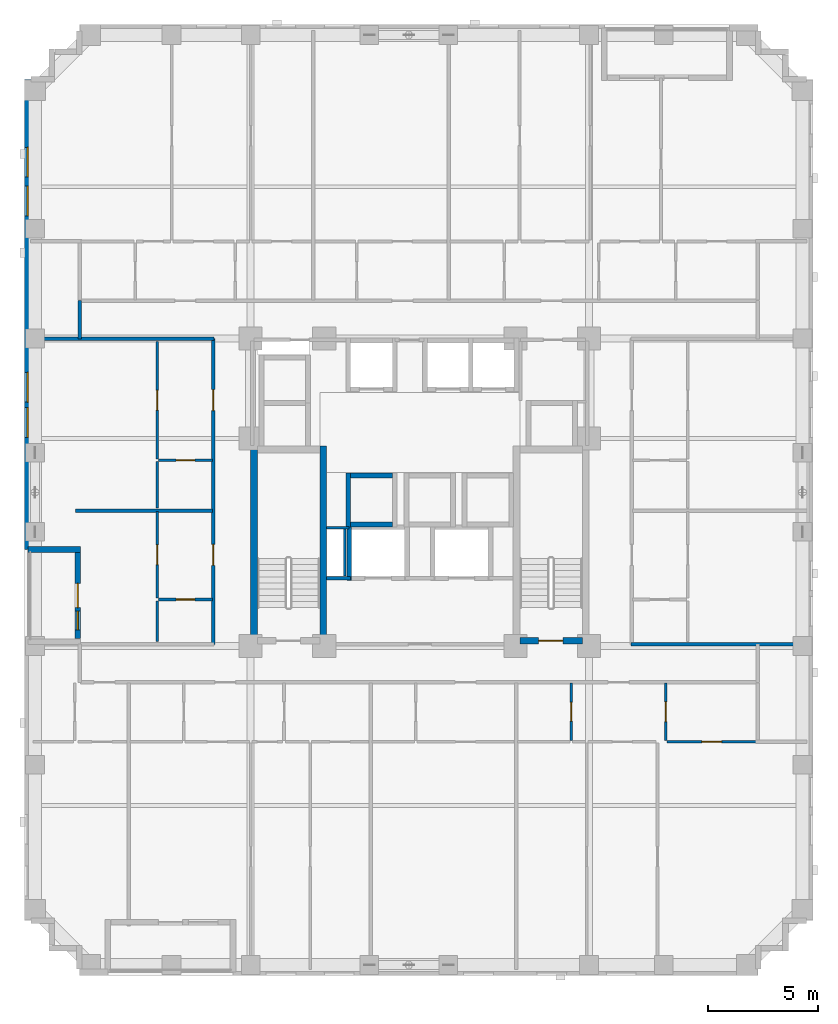
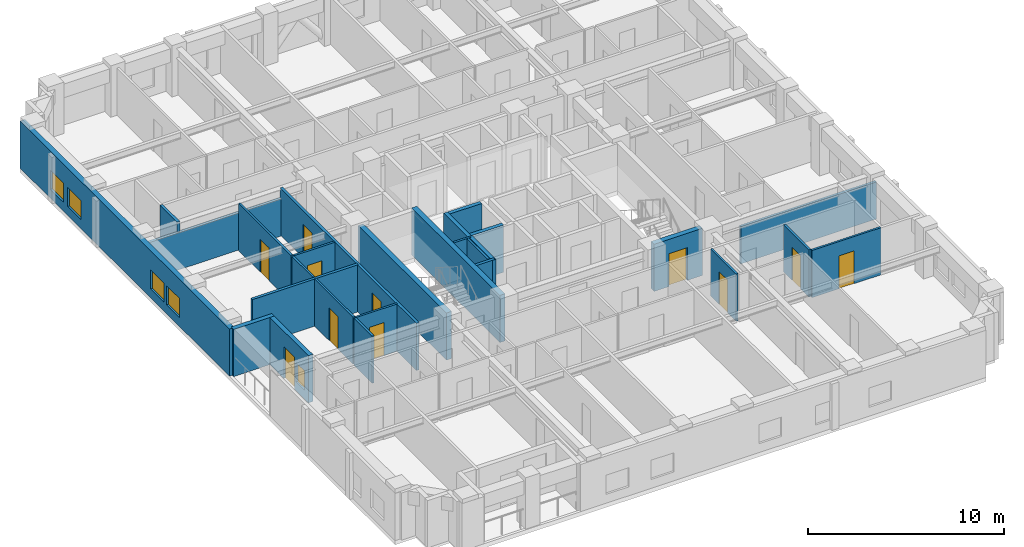
# One storey, part 4 of 12: 27 walls, 11 doors, 5 windows, 16 openings.
"""IFC4 building model written with IfcOpenShell, lengths in metres."""

import ifcopenshell
import ifcopenshell.guid

model = None  # the IFC model being written
_history = None  # IfcOwnerHistory: only IFC2X3 demands one
_inside = {}  # id of a spatial element -> (the spatial element, [elements in it])
_under = {}  # id of a project, library or spatial element -> (it, [spatial elements below it])
_declared = {}  # id of a project -> (the project, [libraries it declares])
_typed = {}  # id of a type object -> (the type object, [elements of that type])
_made_of = {}  # id of a material, layer set ... -> (it, [elements and type objects made of it])


def new_model(schema):
    """Start an empty IFC model of exactly this schema.

    Asked for "IFC4X3", IfcOpenShell would pick the latest addendum, in which some entities
    have other attributes; the version numbers below select the first issue.
    IFC2X3 requires an IfcOwnerHistory on every rooted entity: one is made here for all.
    """
    global model, _history
    if schema == "IFC4X3":
        model = ifcopenshell.file(schema_version=(4, 3, 0, 0))
    else:
        model = ifcopenshell.file(schema=schema)
    _inside.clear()
    _under.clear()
    _declared.clear()
    _typed.clear()
    _made_of.clear()
    _history = None
    if model.schema == "IFC2X3":
        org = make("IfcOrganization", Name="unknown")
        user = make(
            "IfcPersonAndOrganization",
            ThePerson=make("IfcPerson", FamilyName="unknown"),
            TheOrganization=org,
        )
        app = make(
            "IfcApplication",
            ApplicationDeveloper=org,
            Version="unknown",
            ApplicationFullName="unknown",
            ApplicationIdentifier="unknown",
        )
        _history = make(
            "IfcOwnerHistory",
            OwningUser=user,
            OwningApplication=app,
            ChangeAction="ADDED",
            CreationDate=0,
        )
    return model


def make(cls, **values):
    """One entity of the class cls with the attributes given. An attribute that is None is left unset."""
    return model.create_entity(
        cls, **{name: value for name, value in values.items() if value is not None}
    )


def rooted(cls, **values):
    """An entity with a GlobalId (a new one), such as an element, a storey or a relation."""
    return make(cls, GlobalId=ifcopenshell.guid.new(), OwnerHistory=_history, **values)


def si_unit(unit_type, name, prefix=None):
    """IfcSIUnit, for example si_unit("LENGTHUNIT", "METRE", prefix="MILLI")."""
    return make("IfcSIUnit", UnitType=unit_type, Prefix=prefix, Name=name)


def derived_unit(unit_type, elements):
    """IfcDerivedUnit: a product of units, each with its exponent."""
    return make(
        "IfcDerivedUnit",
        Elements=[
            make("IfcDerivedUnitElement", Unit=unit, Exponent=power)
            for unit, power in elements
        ],
        UnitType=unit_type,
    )


def assignment(units):
    """IfcUnitAssignment: the units of a project."""
    return None if units is None else make("IfcUnitAssignment", Units=units)


def point(xyz):
    """IfcCartesianPoint."""
    return None if xyz is None else make("IfcCartesianPoint", Coordinates=xyz)


def direction(xyz):
    """IfcDirection."""
    return None if xyz is None else make("IfcDirection", DirectionRatios=xyz)


def frame(location, z_axis=None, x_axis=None):
    """IfcAxis2Placement3D, a coordinate frame: its origin and axes. An axis left out is left unset."""
    return make(
        "IfcAxis2Placement3D",
        Location=point(location),
        Axis=direction(z_axis),
        RefDirection=direction(x_axis),
    )


def frame_2d(location, x_axis=None):
    """IfcAxis2Placement2D, a coordinate frame in the plane: its origin and x axis."""
    return make(
        "IfcAxis2Placement2D", Location=point(location), RefDirection=direction(x_axis)
    )


def origin():
    """The frame at (0, 0, 0) with its axes left unset."""
    return frame((0.0, 0.0, 0.0))


def place(relative_to, where):
    """IfcLocalPlacement: puts the frame where relative to a parent placement (None: the world)."""
    return make(
        "IfcLocalPlacement", PlacementRelTo=relative_to, RelativePlacement=where
    )


def context(
    kind, dimensions, precision=None, world=None, true_north=None, identifier=None
):
    """IfcGeometricRepresentationContext, for example the 3D "Model" context."""
    return make(
        "IfcGeometricRepresentationContext",
        ContextIdentifier=identifier,
        ContextType=kind,
        CoordinateSpaceDimension=dimensions,
        Precision=precision,
        WorldCoordinateSystem=world,
        TrueNorth=true_north,
    )


def subcontext(parent, identifier, kind, view, scale=None):
    """IfcGeometricRepresentationSubContext, for example "Body" below "Model"."""
    return make(
        "IfcGeometricRepresentationSubContext",
        ContextIdentifier=identifier,
        ContextType=kind,
        ParentContext=parent,
        TargetScale=scale,
        TargetView=view,
    )


def project(units=None, contexts=None):
    """IfcProject with its units and contexts."""
    return rooted(
        "IfcProject",
        Name="project",
        RepresentationContexts=contexts,
        UnitsInContext=assignment(units),
    )


def spatial(cls, under=None, at=None, **own):
    """A site, building, storey or space (cls), placed at a placement, below another one or the project."""
    s = rooted(cls, ObjectPlacement=at, **own)
    if under is not None:
        _under.setdefault(under.id(), (under, []))[1].append(s)
    return s


def profile(cls, at=None, kind="AREA", **sizes):
    """A parametric profile (cls). Its sizes go by their IFC names, for example OverallWidth=200.0."""
    return make(cls, ProfileType=kind, Position=at, **sizes)


def rectangle(**sizes):
    """IfcRectangleProfileDef."""
    return profile("IfcRectangleProfileDef", **sizes)


def extrude(swept, where, along, depth):
    """IfcExtrudedAreaSolid: the profile swept, set in the frame where, extruded along a direction by depth."""
    return make(
        "IfcExtrudedAreaSolid",
        SweptArea=swept,
        Position=where,
        ExtrudedDirection=direction(along),
        Depth=depth,
    )


def shape(context_of_items, identifier, shape_type, items):
    """IfcShapeRepresentation: the items that make up one representation, for example the "Body"."""
    return make(
        "IfcShapeRepresentation",
        ContextOfItems=context_of_items,
        RepresentationIdentifier=identifier,
        RepresentationType=shape_type,
        Items=items,
    )


def material(Name=None, Category=None):
    """IfcMaterial."""
    return make("IfcMaterial", Name=Name, Category=Category)


def layer(
    of_material, thickness, ventilated=None, Name=None, Category=None, Priority=None
):
    """IfcMaterialLayer: one layer of a wall or slab, of a material (None: an air gap)."""
    return make(
        "IfcMaterialLayer",
        Material=of_material,
        LayerThickness=thickness,
        IsVentilated=ventilated,
        Name=Name,
        Category=Category,
        Priority=Priority,
    )


def layer_set(layers, Name=None):
    """IfcMaterialLayerSet."""
    return make("IfcMaterialLayerSet", MaterialLayers=layers, LayerSetName=Name)


def made_of(thing, what):
    """Note that an element or type object is made of a material, layer set ...; save() writes the relation."""
    if what is not None:
        _made_of.setdefault(what.id(), (what, []))[1].append(thing)
    return thing


def type_object(cls, material=None, **own):
    """A type object (cls), such as IfcWallType, which elements share."""
    return made_of(rooted(cls, **own), material)


def element(
    cls,
    number,
    at=None,
    inside=None,
    cuts=None,
    type_object=None,
    material=None,
    context=None,
    identifier="Body",
    shape_type=None,
    held_by="IfcProductDefinitionShape",
    body=None,
    shapes=None,
    **own,
):
    """One element of the class cls, such as IfcWall. Its Tag is "e" and its number.

    at: its placement. inside: the storey or other place that contains it. cuts: it is an
    opening in that element (IfcRelVoidsElement). A single representation is given by context,
    identifier, shape_type and body (its items); several are given by shapes. held_by: the class
    of the entity that holds the representations. save() writes the other relations.
    """
    e = rooted(cls, Tag="e%d" % number, ObjectPlacement=at, **own)
    if body is not None:
        shapes = [shape(context, identifier, shape_type, body)]
    if shapes is not None:
        e.Representation = make(held_by, Representations=shapes)
    if inside is not None:
        _inside.setdefault(inside.id(), (inside, []))[1].append(e)
    if cuts is not None:
        rooted(
            "IfcRelVoidsElement", RelatingBuildingElement=cuts, RelatedOpeningElement=e
        )
    if type_object is not None:
        _typed.setdefault(type_object.id(), (type_object, []))[1].append(e)
    return made_of(e, material)


def fill(opening, filler):
    """IfcRelFillsElement: the door or window that sits in an opening."""
    return rooted(
        "IfcRelFillsElement",
        RelatingOpeningElement=opening,
        RelatedBuildingElement=filler,
    )


def aggregate(whole, parts):
    """IfcRelAggregates: a whole, such as a stair, and the parts it consists of."""
    return rooted("IfcRelAggregates", RelatingObject=whole, RelatedObjects=parts)


def save(model, path):
    """Write the relations noted so far, then the file.

    IfcRelAggregates (storeys below a building ...), IfcRelContainedInSpatialStructure (elements
    in a storey), IfcRelDefinesByType, IfcRelAssociatesMaterial and IfcRelDeclares: one each for
    every whole, place, type object, material and project.
    """
    for whole, parts in _under.values():
        aggregate(whole, parts)
    for where, things in _inside.values():
        rooted(
            "IfcRelContainedInSpatialStructure",
            RelatedElements=things,
            RelatingStructure=where,
        )
    for kind, things in _typed.values():
        rooted("IfcRelDefinesByType", RelatedObjects=things, RelatingType=kind)
    for what, things in _made_of.values():
        rooted("IfcRelAssociatesMaterial", RelatedObjects=things, RelatingMaterial=what)
    for by, libraries in _declared.values():
        rooted("IfcRelDeclares", RelatingContext=by, RelatedDefinitions=libraries)
    model.write(path)


model = new_model("IFC4")

# Units and contexts
model_context = context("Model", 3, precision=1e-05, world=origin(), true_north=direction((0.0, 1.0)))
body_context = subcontext(model_context, "Body", "Model", "MODEL_VIEW")
ifc_project = project(units=[si_unit("LENGTHUNIT", "METRE"), si_unit("AREAUNIT", "SQUARE_METRE"), si_unit("VOLUMEUNIT", "CUBIC_METRE"), si_unit("PLANEANGLEUNIT", "RADIAN"), si_unit("MASSUNIT", "GRAM", prefix="KILO"), derived_unit("THERMALTRANSMITTANCEUNIT", [(si_unit("MASSUNIT", "GRAM", prefix="KILO"), 1), (si_unit("TIMEUNIT", "SECOND"), -3), (si_unit("THERMODYNAMICTEMPERATUREUNIT", "KELVIN"), -1)])], contexts=[model_context])

# Site, building, storey
site_placement = place(None, origin())
site = spatial("IfcSite", under=ifc_project, at=site_placement, CompositionType="ELEMENT")
building_placement = place(site_placement, origin())
building = spatial("IfcBuilding", under=site, at=building_placement, Name="Korrvale Station Residences", CompositionType="ELEMENT")
storey_placement = place(building_placement, frame((0.0, 0.0, 87.89990234375)))
storey = spatial("IfcBuildingStorey", under=building, at=storey_placement, Name="L24", CompositionType="ELEMENT", Elevation=87.89990234375)

# Walls
ifc_material_1 = material(Name="Concrete C60/75", Category="concrete")
ifc_layer_1 = layer(ifc_material_1, 0.300048828125, Name="Concrete C60/75")
ifc_layer_set_1 = layer_set([ifc_layer_1], Name="Concrete C60/75")
wall_type_1 = type_object("IfcWallType", Name="WAL-CORE-300-C60", PredefinedType="SHEAR", material=ifc_layer_set_1)
for number, where, z_axis, x_axis, name in (
    (1, (17.949951171875, 15.10009765625, 0.0), (0.0, 0.0, 1.0), (0.0, 1.0, 0.0), "L24 ST-1 Core Shear Wall West"),
    (2, (21.10009765625, 15.10009765625, 0.0), (0.0, 0.0, 1.0), (0.0, 1.0, 0.0), "L24 ST-1 Core Shear Wall East"),
):
    element("IfcWall", number, at=place(storey_placement, frame(where, z_axis=z_axis, x_axis=x_axis)), inside=storey, type_object=wall_type_1, Name=name, PredefinedType="SHEAR", context=body_context, shape_type="SweptSolid", body=[
        extrude(rectangle(XDim=9.0, YDim=0.300048828125, at=frame_2d((4.5, 0.0))), origin(), (0.0, 0.0, 1.0), 2.940185546875),
    ])

# Wall, opening, door
wall_1_placement = place(storey_placement, frame((30.050048828125, 15.25, 0.0), z_axis=(0.0, 0.0, 1.0), x_axis=(1.0, 0.0, 0.0)))
wall_1 = element("IfcWall", 3, at=wall_1_placement, inside=storey, type_object=wall_type_1, Name="L24 ST-2 Core Shear Wall South", PredefinedType="SHEAR", context=body_context, shape_type="SweptSolid", body=[
    extrude(rectangle(XDim=2.849853515625, YDim=0.300048828125, at=frame_2d((1.4248046875, 0.0))), origin(), (0.0, 0.0, 1.0), 2.940185546875),
])
opening_1_placement = place(wall_1_placement, frame((0.860107421875, 0.0, 0.0)))
opening_1 = element("IfcOpeningElement", 4, at=opening_1_placement, cuts=wall_1, Name="Opening SD-1100", PredefinedType="OPENING", context=body_context, shape_type="SweptSolid", body=[
    extrude(rectangle(XDim=1.10009765625, YDim=2.050048828125, at=frame_2d((0.550048828125, 1.02490234375))), frame((0.0, 0.16015625, 0.0), z_axis=(0.0, -1.0, 0.0), x_axis=(1.0, 0.0, 0.0)), (0.0, 0.0, 1.0), 0.320068359375),
])
ifc_material_2 = material(Name="Hollow-metal fire-rated stair door with closer", Category="steel")
door_type_1 = type_object("IfcDoorType", Name="DR-STAIR-1100", OperationType="NOTDEFINED", PredefinedType="DOOR", material=ifc_material_2)
door_1_placement = place(opening_1_placement, origin())
door_1 = element("IfcDoor", 5, at=door_1_placement, inside=storey, type_object=door_type_1, Name="L24 ST-2 Exit Stair Door", OperationType="SINGLE_SWING_RIGHT", OverallHeight=2.050048828125, OverallWidth=1.10009765625, PredefinedType="DOOR", context=body_context, shape_type="SweptSolid", body=[
    extrude(rectangle(XDim=1.10009765625, YDim=2.050048828125, at=frame_2d((0.550048828125, 1.02490234375))), frame((0.0, 0.02490234375, 0.0), z_axis=(0.0, -1.0, 0.0), x_axis=(1.0, 0.0, 0.0)), (0.0, 0.0, 1.0), 0.050048828125),
])
fill(opening_1, door_1)

# Wall, openings, door, window
ifc_material_3 = material(Name="Precast concrete C45/55", Category="concrete")
ifc_layer_2 = layer(ifc_material_3, 0.260009765625, Name="Precast concrete C45/55")
ifc_layer_set_2 = layer_set([ifc_layer_2], Name="Precast concrete C45/55")
wall_type_2 = type_object("IfcWallType", Name="WAL-EXT-LOG260", PredefinedType="SOLIDWALL", material=ifc_layer_set_2)
wall_2_placement = place(storey_placement, frame((9.929931640625, 15.333984375, 0.0), z_axis=(0.0, 0.0, 1.0), x_axis=(0.0, 1.0, 0.0)))
wall_2 = element("IfcWall", 6, at=wall_2_placement, inside=storey, type_object=wall_type_2, Name="L24 Recessed Loggia Wall BAL-L24-W1-B", PredefinedType="SOLIDWALL", context=body_context, shape_type="SweptSolid", body=[
    extrude(rectangle(XDim=3.93212890625, YDim=0.260009765625, at=frame_2d((1.966064453125, 0.0))), origin(), (0.0, 0.0, 1.0), 2.940185546875),
])
opening_2_placement = place(wall_2_placement, frame((1.416015625, 0.0, 0.0)))
opening_2 = element("IfcOpeningElement", 7, at=opening_2_placement, cuts=wall_2, Name="Opening BD-01", PredefinedType="OPENING", context=body_context, shape_type="SweptSolid", body=[
    extrude(rectangle(XDim=1.10009765625, YDim=2.0, at=frame_2d((0.550048828125, 1.0))), frame((0.0, 0.14013671875, 0.0), z_axis=(0.0, -1.0, 0.0), x_axis=(1.0, 0.0, 0.0)), (0.0, 0.0, 1.0), 0.280029296875),
])
opening_3_placement = place(wall_2_placement, frame((0.406005859375, 0.0, 0.550048828125)))
opening_3 = element("IfcOpeningElement", 8, at=opening_3_placement, cuts=wall_2, Name="Opening W-11", PredefinedType="OPENING", context=body_context, shape_type="SweptSolid", body=[
    extrude(rectangle(XDim=0.85009765625, YDim=1.199951171875, at=frame_2d((0.425048828125, 0.60009765625))), frame((0.0, 0.14013671875, 0.0), z_axis=(0.0, -1.0, 0.0), x_axis=(1.0, 0.0, 0.0)), (0.0, 0.0, 1.0), 0.280029296875),
])
ifc_material_4 = material(Name="Exterior thermally broken aluminium glazed balcony door", Category="aluminium")
door_type_2 = type_object("IfcDoorType", Name="DR-EXT-BAL", OperationType="NOTDEFINED", PredefinedType="DOOR", material=ifc_material_4)
door_2_placement = place(opening_2_placement, origin())
door_2 = element("IfcDoor", 9, at=door_2_placement, inside=storey, type_object=door_type_2, Name="L24 Loggia Balcony Door BAL-L24-W1", OperationType="SINGLE_SWING_RIGHT", OverallHeight=2.0, OverallWidth=1.10009765625, PredefinedType="DOOR", context=body_context, shape_type="SweptSolid", body=[
    extrude(rectangle(XDim=1.10009765625, YDim=2.0, at=frame_2d((0.550048828125, 1.0))), frame((0.0, 0.02490234375, 0.0), z_axis=(0.0, -1.0, 0.0), x_axis=(1.0, 0.0, 0.0)), (0.0, 0.0, 1.0), 0.050048828125),
])
fill(opening_2, door_2)
ifc_material_5 = material(Name="Thermally broken aluminium frame with triple low-e glazing", Category="aluminium")
window_type_1 = type_object("IfcWindowType", Name="WIN-W11", PartitioningType="SINGLE_PANEL", PredefinedType="WINDOW", material=ifc_material_5)
window_1_placement = place(opening_3_placement, origin())
window_1 = element("IfcWindow", 10, at=window_1_placement, inside=storey, type_object=window_type_1, Name="L24 Punched Window 21", OverallHeight=1.199951171875, OverallWidth=0.85009765625, PartitioningType="SINGLE_PANEL", PredefinedType="WINDOW", context=body_context, shape_type="SweptSolid", body=[
    extrude(rectangle(XDim=0.85009765625, YDim=1.199951171875, at=frame_2d((0.425048828125, 0.60009765625))), frame((0.0, 0.030029296875, 0.0), z_axis=(0.0, -1.0, 0.0), x_axis=(1.0, 0.0, 0.0)), (0.0, 0.0, 1.0), 0.06005859375),
])
fill(opening_3, window_1)

# Wall
wall_3_placement = place(storey_placement, frame((10.06005859375, 19.39990234375, 0.0), z_axis=(0.0, 0.0, 1.0), x_axis=(-1.0, 0.0, 0.0)))
element("IfcWall", 11, at=wall_3_placement, inside=storey, type_object=wall_type_2, Name="L24 Recessed Loggia Wall BAL-L24-W1-R", PredefinedType="SOLIDWALL", context=body_context, shape_type="SweptSolid", body=[
    extrude(rectangle(XDim=2.400146484375, YDim=0.260009765625, at=frame_2d((1.2001953125, 0.0))), origin(), (0.0, 0.0, 1.0), 2.940185546875),
])

# Wall, openings, windows
ifc_layer_3 = layer(ifc_material_3, 0.300048828125, Name="Precast concrete C45/55")
ifc_layer_set_3 = layer_set([ifc_layer_3], Name="Precast concrete C45/55")
wall_type_3 = type_object("IfcWallType", Name="WAL-EXT-PC300", PredefinedType="SOLIDWALL", material=ifc_layer_set_3)
wall_4_placement = place(storey_placement, frame((7.64990234375, 19.39990234375, 0.0), z_axis=(0.0, 0.0, 1.0), x_axis=(0.0, 1.0, 0.0)))
wall_4 = element("IfcWall", 12, at=wall_4_placement, inside=storey, type_object=wall_type_3, Name="L24 West Exterior Precast Wall 2", PredefinedType="SOLIDWALL", context=body_context, shape_type="SweptSolid", body=[
    extrude(rectangle(XDim=21.400146484375, YDim=0.300048828125, at=frame_2d((10.7001953125, 0.0))), origin(), (0.0, 0.0, 1.0), 2.940185546875),
])
opening_4_placement = place(wall_4_placement, frame((16.95703125, 0.0, 0.550048828125)))
opening_4 = element("IfcOpeningElement", 13, at=opening_4_placement, cuts=wall_4, Name="Opening W-10", PredefinedType="OPENING", context=body_context, shape_type="SweptSolid", body=[
    extrude(rectangle(XDim=1.35009765625, YDim=1.199951171875, at=frame_2d((0.675048828125, 0.60009765625))), frame((0.0, 0.16015625, 0.0), z_axis=(0.0, -1.0, 0.0), x_axis=(1.0, 0.0, 0.0)), (0.0, 0.0, 1.0), 0.320068359375),
])
opening_5_placement = place(wall_4_placement, frame((15.18505859375, 0.0, 0.550048828125)))
opening_5 = element("IfcOpeningElement", 14, at=opening_5_placement, cuts=wall_4, Name="Opening W-10", PredefinedType="OPENING", context=body_context, shape_type="SweptSolid", body=[
    extrude(rectangle(XDim=1.35009765625, YDim=1.199951171875, at=frame_2d((0.675048828125, 0.60009765625))), frame((0.0, 0.16015625, 0.0), z_axis=(0.0, -1.0, 0.0), x_axis=(1.0, 0.0, 0.0)), (0.0, 0.0, 1.0), 0.320068359375),
])
opening_6_placement = place(wall_4_placement, frame((5.10009765625, 0.0, 0.550048828125)))
opening_6 = element("IfcOpeningElement", 15, at=opening_6_placement, cuts=wall_4, Name="Opening W-10", PredefinedType="OPENING", context=body_context, shape_type="SweptSolid", body=[
    extrude(rectangle(XDim=1.35009765625, YDim=1.199951171875, at=frame_2d((0.675048828125, 0.60009765625))), frame((0.0, 0.16015625, 0.0), z_axis=(0.0, -1.0, 0.0), x_axis=(1.0, 0.0, 0.0)), (0.0, 0.0, 1.0), 0.320068359375),
])
opening_7_placement = place(wall_4_placement, frame((6.7099609375, 0.0, 0.550048828125)))
opening_7 = element("IfcOpeningElement", 16, at=opening_7_placement, cuts=wall_4, Name="Opening W-10", PredefinedType="OPENING", context=body_context, shape_type="SweptSolid", body=[
    extrude(rectangle(XDim=1.35009765625, YDim=1.199951171875, at=frame_2d((0.675048828125, 0.60009765625))), frame((0.0, 0.16015625, 0.0), z_axis=(0.0, -1.0, 0.0), x_axis=(1.0, 0.0, 0.0)), (0.0, 0.0, 1.0), 0.320068359375),
])
window_type_2 = type_object("IfcWindowType", Name="WIN-W10", PartitioningType="SINGLE_PANEL", PredefinedType="WINDOW", material=ifc_material_5)
window_2_placement = place(opening_4_placement, origin())
window_2 = element("IfcWindow", 17, at=window_2_placement, inside=storey, type_object=window_type_2, Name="L24 Punched Window 11", OverallHeight=1.199951171875, OverallWidth=1.35009765625, PartitioningType="SINGLE_PANEL", PredefinedType="WINDOW", context=body_context, shape_type="SweptSolid", body=[
    extrude(rectangle(XDim=1.35009765625, YDim=1.199951171875, at=frame_2d((0.675048828125, 0.60009765625))), frame((0.0, 0.030029296875, 0.0), z_axis=(0.0, -1.0, 0.0), x_axis=(1.0, 0.0, 0.0)), (0.0, 0.0, 1.0), 0.06005859375),
])
fill(opening_4, window_2)
window_3_placement = place(opening_5_placement, origin())
window_3 = element("IfcWindow", 18, at=window_3_placement, inside=storey, type_object=window_type_2, Name="L24 Punched Window 12", OverallHeight=1.199951171875, OverallWidth=1.35009765625, PartitioningType="SINGLE_PANEL", PredefinedType="WINDOW", context=body_context, shape_type="SweptSolid", body=[
    extrude(rectangle(XDim=1.35009765625, YDim=1.199951171875, at=frame_2d((0.675048828125, 0.60009765625))), frame((0.0, 0.030029296875, 0.0), z_axis=(0.0, -1.0, 0.0), x_axis=(1.0, 0.0, 0.0)), (0.0, 0.0, 1.0), 0.06005859375),
])
fill(opening_5, window_3)
window_4_placement = place(opening_6_placement, origin())
window_4 = element("IfcWindow", 19, at=window_4_placement, inside=storey, type_object=window_type_2, Name="L24 Punched Window 22", OverallHeight=1.199951171875, OverallWidth=1.35009765625, PartitioningType="SINGLE_PANEL", PredefinedType="WINDOW", context=body_context, shape_type="SweptSolid", body=[
    extrude(rectangle(XDim=1.35009765625, YDim=1.199951171875, at=frame_2d((0.675048828125, 0.60009765625))), frame((0.0, 0.030029296875, 0.0), z_axis=(0.0, -1.0, 0.0), x_axis=(1.0, 0.0, 0.0)), (0.0, 0.0, 1.0), 0.06005859375),
])
fill(opening_6, window_4)
window_5_placement = place(opening_7_placement, origin())
window_5 = element("IfcWindow", 20, at=window_5_placement, inside=storey, type_object=window_type_2, Name="L24 Punched Window 23", OverallHeight=1.199951171875, OverallWidth=1.35009765625, PartitioningType="SINGLE_PANEL", PredefinedType="WINDOW", context=body_context, shape_type="SweptSolid", body=[
    extrude(rectangle(XDim=1.35009765625, YDim=1.199951171875, at=frame_2d((0.675048828125, 0.60009765625))), frame((0.0, 0.030029296875, 0.0), z_axis=(0.0, -1.0, 0.0), x_axis=(1.0, 0.0, 0.0)), (0.0, 0.0, 1.0), 0.06005859375),
])
fill(opening_7, window_5)

# Walls
ifc_material_6 = material(Name="Acoustic steel-stud gypsum board partition", Category="steel")
ifc_layer_4 = layer(ifc_material_6, 0.1201171875, Name="Acoustic steel-stud gypsum board partition")
ifc_layer_set_4 = layer_set([ifc_layer_4], Name="Acoustic steel-stud gypsum board partition")
wall_type_4 = type_object("IfcWallType", Name="WAL-PART-125", PredefinedType="PARTITIONING", material=ifc_layer_set_4)
wall_5_placement = place(storey_placement, frame((22.080078125, 18.199951171875, 0.0), z_axis=(0.0, 0.0, 1.0), x_axis=(0.0, 1.0, 0.0)))
element("IfcWall", 21, at=wall_5_placement, inside=storey, type_object=wall_type_4, Name="L24 Core Partition CW-RSWT", PredefinedType="PARTITIONING", context=body_context, shape_type="SweptSolid", body=[
    extrude(rectangle(XDim=2.1201171875, YDim=0.1201171875, at=frame_2d((1.06005859375, 0.0))), origin(), (0.0, 0.0, 1.0), 2.940185546875),
])
wall_6_placement = place(storey_placement, frame((22.280029296875, 20.3798828125, 0.0), z_axis=(0.0, 0.0, 1.0), x_axis=(-1.0, 0.0, 0.0)))
element("IfcWall", 22, at=wall_6_placement, inside=storey, type_object=wall_type_4, Name="L24 Core Partition CW-RSWT-N", PredefinedType="PARTITIONING", context=body_context, shape_type="SweptSolid", body=[
    extrude(rectangle(XDim=1.02001953125, YDim=0.1201171875, at=frame_2d((0.510009765625, 0.0))), origin(), (0.0, 0.0, 1.0), 2.940185546875),
])

# Wall, opening, door
wall_7_placement = place(storey_placement, frame((32.39990234375, 10.7099609375, 0.0), z_axis=(0.0, 0.0, 1.0), x_axis=(0.0, 1.0, 0.0)))
wall_7 = element("IfcWall", 23, at=wall_7_placement, inside=storey, type_object=wall_type_4, Name="L24 Suite Partition U04-V01", PredefinedType="PARTITIONING", context=body_context, shape_type="SweptSolid", body=[
    extrude(rectangle(XDim=2.60009765625, YDim=0.1201171875, at=frame_2d((1.300048828125, 0.0))), origin(), (0.0, 0.0, 1.0), 2.940185546875),
])
opening_8_placement = place(wall_7_placement, frame((0.8701171875, 0.0, 0.0)))
opening_8 = element("IfcOpeningElement", 24, at=opening_8_placement, cuts=wall_7, Name="Opening DB-860", PredefinedType="OPENING", context=body_context, shape_type="SweptSolid", body=[
    extrude(rectangle(XDim=0.860107421875, YDim=2.050048828125, at=frame_2d((0.43017578125, 1.02490234375))), frame((0.0, 0.070068359375, 0.0), z_axis=(0.0, -1.0, 0.0), x_axis=(1.0, 0.0, 0.0)), (0.0, 0.0, 1.0), 0.14013671875),
])
ifc_material_7 = material(Name="Moisture-resistant solid-core bathroom door", Category="timber")
door_type_3 = type_object("IfcDoorType", Name="DR-BATH-860", OperationType="NOTDEFINED", PredefinedType="DOOR", material=ifc_material_7)
door_3_placement = place(opening_8_placement, origin())
door_3 = element("IfcDoor", 25, at=door_3_placement, inside=storey, type_object=door_type_3, Name="L24 Studio Apartment L24-U04 Bathroom Door", OperationType="SINGLE_SWING_LEFT", OverallHeight=2.050048828125, OverallWidth=0.860107421875, PredefinedType="DOOR", context=body_context, shape_type="SweptSolid", body=[
    extrude(rectangle(XDim=0.860107421875, YDim=2.050048828125, at=frame_2d((0.43017578125, 1.02490234375))), frame((0.0, 0.02490234375, 0.0), z_axis=(0.0, -1.0, 0.0), x_axis=(1.0, 0.0, 0.0)), (0.0, 0.0, 1.0), 0.050048828125),
])
fill(opening_8, door_3)

wall_8_placement = place(storey_placement, frame((36.699951171875, 10.7099609375, 0.0), z_axis=(0.0, 0.0, 1.0), x_axis=(0.0, 1.0, 0.0)))
wall_8 = element("IfcWall", 26, at=wall_8_placement, inside=storey, type_object=wall_type_4, Name="L24 Suite Partition U04-V12", PredefinedType="PARTITIONING", context=body_context, shape_type="SweptSolid", body=[
    extrude(rectangle(XDim=2.60009765625, YDim=0.1201171875, at=frame_2d((1.300048828125, 0.0))), origin(), (0.0, 0.0, 1.0), 2.940185546875),
])
opening_9_placement = place(wall_8_placement, frame((0.85009765625, 0.0, 0.0)))
opening_9 = element("IfcOpeningElement", 27, at=opening_9_placement, cuts=wall_8, Name="Opening DI-900", PredefinedType="OPENING", context=body_context, shape_type="SweptSolid", body=[
    extrude(rectangle(XDim=0.89990234375, YDim=2.050048828125, at=frame_2d((0.449951171875, 1.02490234375))), frame((0.0, 0.070068359375, 0.0), z_axis=(0.0, -1.0, 0.0), x_axis=(1.0, 0.0, 0.0)), (0.0, 0.0, 1.0), 0.14013671875),
])
ifc_material_8 = material(Name="Painted solid-core timber interior room door", Category="wood")
door_type_4 = type_object("IfcDoorType", Name="DR-INT-900", OperationType="NOTDEFINED", PredefinedType="DOOR", material=ifc_material_8)
door_4_placement = place(opening_9_placement, origin())
door_4 = element("IfcDoor", 28, at=door_4_placement, inside=storey, type_object=door_type_4, Name="L24 Studio Apartment L24-U04 Kitchen Door", OperationType="SINGLE_SWING_RIGHT", OverallHeight=2.050048828125, OverallWidth=0.89990234375, PredefinedType="DOOR", context=body_context, shape_type="SweptSolid", body=[
    extrude(rectangle(XDim=0.89990234375, YDim=2.050048828125, at=frame_2d((0.449951171875, 1.02490234375))), frame((0.0, 0.02490234375, 0.0), z_axis=(0.0, -1.0, 0.0), x_axis=(1.0, 0.0, 0.0)), (0.0, 0.0, 1.0), 0.050048828125),
])
fill(opening_9, door_4)

wall_9_placement = place(storey_placement, frame((36.760009765625, 10.64990234375, 0.0), z_axis=(0.0, 0.0, 1.0), x_axis=(1.0, 0.0, 0.0)))
wall_9 = element("IfcWall", 29, at=wall_9_placement, inside=storey, type_object=wall_type_4, Name="L24 Suite Partition U04-H25", PredefinedType="PARTITIONING", context=body_context, shape_type="SweptSolid", body=[
    extrude(rectangle(XDim=4.06005859375, YDim=0.1201171875, at=frame_2d((2.030029296875, 0.0))), origin(), (0.0, 0.0, 1.0), 2.940185546875),
])
opening_10_placement = place(wall_9_placement, frame((1.580078125, 0.0, 0.0)))
opening_10 = element("IfcOpeningElement", 30, at=opening_10_placement, cuts=wall_9, Name="Opening DI-900", PredefinedType="OPENING", context=body_context, shape_type="SweptSolid", body=[
    extrude(rectangle(XDim=0.89990234375, YDim=2.050048828125, at=frame_2d((0.449951171875, 1.02490234375))), frame((0.0, 0.070068359375, 0.0), z_axis=(0.0, -1.0, 0.0), x_axis=(1.0, 0.0, 0.0)), (0.0, 0.0, 1.0), 0.14013671875),
])
door_5_placement = place(opening_10_placement, origin())
door_5 = element("IfcDoor", 31, at=door_5_placement, inside=storey, type_object=door_type_4, Name="L24 Studio Apartment L24-U04 Home Study Room Door", OperationType="SINGLE_SWING_RIGHT", OverallHeight=2.050048828125, OverallWidth=0.89990234375, PredefinedType="DOOR", context=body_context, shape_type="SweptSolid", body=[
    extrude(rectangle(XDim=0.89990234375, YDim=2.050048828125, at=frame_2d((0.449951171875, 1.02490234375))), frame((0.0, 0.02490234375, 0.0), z_axis=(0.0, -1.0, 0.0), x_axis=(1.0, 0.0, 0.0)), (0.0, 0.0, 1.0), 0.050048828125),
])
fill(opening_10, door_5)

wall_10_placement = place(storey_placement, frame((13.610107421875, 17.1201171875, 0.0), z_axis=(0.0, 0.0, 1.0), x_axis=(1.0, 0.0, 0.0)))
wall_10 = element("IfcWall", 32, at=wall_10_placement, inside=storey, type_object=wall_type_4, Name="L24 Suite Partition U08-H01", PredefinedType="PARTITIONING", context=body_context, shape_type="SweptSolid", body=[
    extrude(rectangle(XDim=2.449951171875, YDim=0.1201171875, at=frame_2d((1.22509765625, 0.0))), origin(), (0.0, 0.0, 1.0), 2.940185546875),
])
opening_11_placement = place(wall_10_placement, frame((0.794921875, 0.0, 0.0)))
opening_11 = element("IfcOpeningElement", 33, at=opening_11_placement, cuts=wall_10, Name="Opening DB-860", PredefinedType="OPENING", context=body_context, shape_type="SweptSolid", body=[
    extrude(rectangle(XDim=0.860107421875, YDim=2.050048828125, at=frame_2d((0.43017578125, 1.02490234375))), frame((0.0, 0.070068359375, 0.0), z_axis=(0.0, -1.0, 0.0), x_axis=(1.0, 0.0, 0.0)), (0.0, 0.0, 1.0), 0.14013671875),
])
door_6_placement = place(opening_11_placement, origin())
door_6 = element("IfcDoor", 34, at=door_6_placement, inside=storey, type_object=door_type_3, Name="L24 Apartment 1BR L24-U08 Bathroom Door", OperationType="SINGLE_SWING_LEFT", OverallHeight=2.050048828125, OverallWidth=0.860107421875, PredefinedType="DOOR", context=body_context, shape_type="SweptSolid", body=[
    extrude(rectangle(XDim=0.860107421875, YDim=2.050048828125, at=frame_2d((0.43017578125, 1.02490234375))), frame((0.0, 0.02490234375, 0.0), z_axis=(0.0, -1.0, 0.0), x_axis=(1.0, 0.0, 0.0)), (0.0, 0.0, 1.0), 0.050048828125),
])
fill(opening_11, door_6)

# Wall
wall_11_placement = place(storey_placement, frame((13.550048828125, 15.2099609375, 0.0), z_axis=(0.0, 0.0, 1.0), x_axis=(0.0, 1.0, 0.0)))
element("IfcWall", 35, at=wall_11_placement, inside=storey, type_object=wall_type_4, Name="L24 Suite Partition U08-V02", PredefinedType="PARTITIONING", context=body_context, shape_type="SweptSolid", body=[
    extrude(rectangle(XDim=1.85009765625, YDim=0.1201171875, at=frame_2d((0.925048828125, 0.0))), origin(), (0.0, 0.0, 1.0), 2.940185546875),
])

# Wall, opening, door
wall_12_placement = place(storey_placement, frame((13.550048828125, 17.179931640625, 0.0), z_axis=(0.0, 0.0, 1.0), x_axis=(0.0, 1.0, 0.0)))
wall_12 = element("IfcWall", 36, at=wall_12_placement, inside=storey, type_object=wall_type_4, Name="L24 Suite Partition U08-V12", PredefinedType="PARTITIONING", context=body_context, shape_type="SweptSolid", body=[
    extrude(rectangle(XDim=3.946044921875, YDim=0.1201171875, at=frame_2d((1.97314453125, 0.0))), origin(), (0.0, 0.0, 1.0), 2.940185546875),
])
opening_12_placement = place(wall_12_placement, frame((1.52294921875, 0.0, 0.0)))
opening_12 = element("IfcOpeningElement", 37, at=opening_12_placement, cuts=wall_12, Name="Opening DI-900", PredefinedType="OPENING", context=body_context, shape_type="SweptSolid", body=[
    extrude(rectangle(XDim=0.89990234375, YDim=2.050048828125, at=frame_2d((0.449951171875, 1.02490234375))), frame((0.0, 0.070068359375, 0.0), z_axis=(0.0, -1.0, 0.0), x_axis=(1.0, 0.0, 0.0)), (0.0, 0.0, 1.0), 0.14013671875),
])
door_7_placement = place(opening_12_placement, origin())
door_7 = element("IfcDoor", 38, at=door_7_placement, inside=storey, type_object=door_type_4, Name="L24 Apartment 1BR L24-U08 Kitchen Door", OperationType="SINGLE_SWING_RIGHT", OverallHeight=2.050048828125, OverallWidth=0.89990234375, PredefinedType="DOOR", context=body_context, shape_type="SweptSolid", body=[
    extrude(rectangle(XDim=0.89990234375, YDim=2.050048828125, at=frame_2d((0.449951171875, 1.02490234375))), frame((0.0, 0.02490234375, 0.0), z_axis=(0.0, -1.0, 0.0), x_axis=(1.0, 0.0, 0.0)), (0.0, 0.0, 1.0), 0.050048828125),
])
fill(opening_12, door_7)

wall_13_placement = place(storey_placement, frame((13.610107421875, 23.467041015625, 0.0), z_axis=(0.0, 0.0, 1.0), x_axis=(1.0, 0.0, 0.0)))
wall_13 = element("IfcWall", 39, at=wall_13_placement, inside=storey, type_object=wall_type_4, Name="L24 Suite Partition U09-H01", PredefinedType="PARTITIONING", context=body_context, shape_type="SweptSolid", body=[
    extrude(rectangle(XDim=2.449951171875, YDim=0.1201171875, at=frame_2d((1.22509765625, 0.0))), origin(), (0.0, 0.0, 1.0), 2.940185546875),
])
opening_13_placement = place(wall_13_placement, frame((0.794921875, 0.0, 0.0)))
opening_13 = element("IfcOpeningElement", 40, at=opening_13_placement, cuts=wall_13, Name="Opening DB-860", PredefinedType="OPENING", context=body_context, shape_type="SweptSolid", body=[
    extrude(rectangle(XDim=0.860107421875, YDim=2.050048828125, at=frame_2d((0.43017578125, 1.02490234375))), frame((0.0, 0.070068359375, 0.0), z_axis=(0.0, -1.0, 0.0), x_axis=(1.0, 0.0, 0.0)), (0.0, 0.0, 1.0), 0.14013671875),
])
door_8_placement = place(opening_13_placement, origin())
door_8 = element("IfcDoor", 41, at=door_8_placement, inside=storey, type_object=door_type_3, Name="L24 Apartment 1BR L24-U09 Bathroom Door", OperationType="SINGLE_SWING_LEFT", OverallHeight=2.050048828125, OverallWidth=0.860107421875, PredefinedType="DOOR", context=body_context, shape_type="SweptSolid", body=[
    extrude(rectangle(XDim=0.860107421875, YDim=2.050048828125, at=frame_2d((0.43017578125, 1.02490234375))), frame((0.0, 0.02490234375, 0.0), z_axis=(0.0, -1.0, 0.0), x_axis=(1.0, 0.0, 0.0)), (0.0, 0.0, 1.0), 0.050048828125),
])
fill(opening_13, door_8)

# Wall
wall_14_placement = place(storey_placement, frame((13.550048828125, 21.285888671875, 0.0), z_axis=(0.0, 0.0, 1.0), x_axis=(0.0, 1.0, 0.0)))
element("IfcWall", 42, at=wall_14_placement, inside=storey, type_object=wall_type_4, Name="L24 Suite Partition U09-V02", PredefinedType="PARTITIONING", context=body_context, shape_type="SweptSolid", body=[
    extrude(rectangle(XDim=2.12109375, YDim=0.1201171875, at=frame_2d((1.060546875, 0.0))), origin(), (0.0, 0.0, 1.0), 2.940185546875),
])

# Wall, opening, door
wall_15_placement = place(storey_placement, frame((13.550048828125, 23.527099609375, 0.0), z_axis=(0.0, 0.0, 1.0), x_axis=(0.0, 1.0, 0.0)))
wall_15 = element("IfcWall", 43, at=wall_15_placement, inside=storey, type_object=wall_type_4, Name="L24 Suite Partition U09-V12", PredefinedType="PARTITIONING", context=body_context, shape_type="SweptSolid", body=[
    extrude(rectangle(XDim=5.3330078125, YDim=0.1201171875, at=frame_2d((2.66650390625, 0.0))), origin(), (0.0, 0.0, 1.0), 2.940185546875),
])
opening_14_placement = place(wall_15_placement, frame((2.216064453125, 0.0, 0.0)))
opening_14 = element("IfcOpeningElement", 44, at=opening_14_placement, cuts=wall_15, Name="Opening DI-900", PredefinedType="OPENING", context=body_context, shape_type="SweptSolid", body=[
    extrude(rectangle(XDim=0.89990234375, YDim=2.050048828125, at=frame_2d((0.449951171875, 1.02490234375))), frame((0.0, 0.070068359375, 0.0), z_axis=(0.0, -1.0, 0.0), x_axis=(1.0, 0.0, 0.0)), (0.0, 0.0, 1.0), 0.14013671875),
])
door_9_placement = place(opening_14_placement, origin())
door_9 = element("IfcDoor", 45, at=door_9_placement, inside=storey, type_object=door_type_4, Name="L24 Apartment 1BR L24-U09 Kitchen Door", OperationType="SINGLE_SWING_RIGHT", OverallHeight=2.050048828125, OverallWidth=0.89990234375, PredefinedType="DOOR", context=body_context, shape_type="SweptSolid", body=[
    extrude(rectangle(XDim=0.89990234375, YDim=2.050048828125, at=frame_2d((0.449951171875, 1.02490234375))), frame((0.0, 0.02490234375, 0.0), z_axis=(0.0, -1.0, 0.0), x_axis=(1.0, 0.0, 0.0)), (0.0, 0.0, 1.0), 0.050048828125),
])
fill(opening_14, door_9)

# Walls
ifc_material_9 = material(Name="Fire-rated twin-stud gypsum and mineral wool shaftwall assembly", Category="gypsum")
ifc_layer_5 = layer(ifc_material_9, 0.159912109375, Name="Fire-rated twin-stud gypsum and mineral wool shaftwall assembly")
ifc_layer_set_5 = layer_set([ifc_layer_5], Name="Fire-rated twin-stud gypsum and mineral wool shaftwall assembly")
wall_type_5 = type_object("IfcWallType", Name="WAL-PART-200", PredefinedType="PARTITIONING", material=ifc_layer_set_5)
wall_16_placement = place(storey_placement, frame((21.25, 18.080078125, 0.0), z_axis=(0.0, 0.0, 1.0), x_axis=(1.0, 0.0, 0.0)))
element("IfcWall", 46, at=wall_16_placement, inside=storey, type_object=wall_type_5, Name="L24 Core Partition CW-FFL-N1", PredefinedType="PARTITIONING", context=body_context, shape_type="SweptSolid", body=[
    extrude(rectangle(XDim=1.10009765625, YDim=0.159912109375, at=frame_2d((0.550048828125, 0.0))), origin(), (0.0, 0.0, 1.0), 2.940185546875),
])
wall_17_placement = place(storey_placement, frame((10.02001953125, 28.97998046875, 0.0), z_axis=(0.0, 0.0, 1.0), x_axis=(0.0, 1.0, 0.0)))
element("IfcWall", 47, at=wall_17_placement, inside=storey, type_object=wall_type_5, Name="L24 Corridor North West Cap", PredefinedType="PARTITIONING", context=body_context, shape_type="SweptSolid", body=[
    extrude(rectangle(XDim=1.739990234375, YDim=0.159912109375, at=frame_2d((0.8701171875, 0.0))), origin(), (0.0, 0.0, 1.0), 2.940185546875),
])
wall_18_placement = place(storey_placement, frame((7.780029296875, 28.97998046875, 0.0), z_axis=(0.0, 0.0, 1.0), x_axis=(1.0, 0.0, 0.0)))
element("IfcWall", 48, at=wall_18_placement, inside=storey, type_object=wall_type_5, Name="L24 West Wing North Corridor Wall", PredefinedType="PARTITIONING", context=body_context, shape_type="SweptSolid", body=[
    extrude(rectangle(XDim=8.35986328125, YDim=0.159912109375, at=frame_2d((4.179931640625, 0.0))), origin(), (0.0, 0.0, 1.0), 2.30908203125),
])
wall_19_placement = place(storey_placement, frame((35.110107421875, 15.090087890625, 0.0), z_axis=(0.0, 0.0, 1.0), x_axis=(1.0, 0.0, 0.0)))
element("IfcWall", 49, at=wall_19_placement, inside=storey, type_object=wall_type_5, Name="L24 East Wing South Corridor Wall", PredefinedType="PARTITIONING", context=body_context, shape_type="SweptSolid", body=[
    extrude(rectangle(XDim=8.010009765625, YDim=0.159912109375, at=frame_2d((4.0048828125, 0.0))), origin(), (0.0, 0.0, 1.0), 2.30908203125),
])
wall_20_placement = place(storey_placement, frame((9.820068359375, 21.166015625, 0.0), z_axis=(0.0, 0.0, 1.0), x_axis=(1.0, 0.0, 0.0)))
element("IfcWall", 50, at=wall_20_placement, inside=storey, type_object=wall_type_5, Name="L24 Demising Wall U08-N", PredefinedType="PARTITIONING", context=body_context, shape_type="SweptSolid", body=[
    extrude(rectangle(XDim=6.239990234375, YDim=0.159912109375, at=frame_2d((3.1201171875, 0.0))), origin(), (0.0, 0.0, 1.0), 2.940185546875),
])

# Wall, openings, doors
wall_21_placement = place(storey_placement, frame((16.10009765625, 15.070068359375, 0.0), z_axis=(0.0, 0.0, 1.0), x_axis=(0.0, 1.0, 0.0)))
wall_21 = element("IfcWall", 51, at=wall_21_placement, inside=storey, type_object=wall_type_5, Name="L24 Rated Corridor Wall W", PredefinedType="PARTITIONING", context=body_context, shape_type="SweptSolid", body=[
    extrude(rectangle(XDim=13.929931640625, YDim=0.159912109375, at=frame_2d((6.96484375, 0.0))), origin(), (0.0, 0.0, 1.0), 2.940185546875),
])
opening_15_placement = place(wall_21_placement, frame((3.60791015625, 0.0, 0.0)))
opening_15 = element("IfcOpeningElement", 52, at=opening_15_placement, cuts=wall_21, Name="Opening UD-950", PredefinedType="OPENING", context=body_context, shape_type="SweptSolid", body=[
    extrude(rectangle(XDim=0.949951171875, YDim=2.10009765625, at=frame_2d((0.47509765625, 1.050048828125))), frame((0.0, 0.08984375, 0.0), z_axis=(0.0, -1.0, 0.0), x_axis=(1.0, 0.0, 0.0)), (0.0, 0.0, 1.0), 0.179931640625),
])
opening_16_placement = place(wall_21_placement, frame((10.64892578125, 0.0, 0.0)))
opening_16 = element("IfcOpeningElement", 53, at=opening_16_placement, cuts=wall_21, Name="Opening UD-950", PredefinedType="OPENING", context=body_context, shape_type="SweptSolid", body=[
    extrude(rectangle(XDim=0.949951171875, YDim=2.10009765625, at=frame_2d((0.47509765625, 1.050048828125))), frame((0.0, 0.08984375, 0.0), z_axis=(0.0, -1.0, 0.0), x_axis=(1.0, 0.0, 0.0)), (0.0, 0.0, 1.0), 0.179931640625),
])
ifc_material_10 = material(Name="Solid-core acoustic oak apartment entrance door", Category="timber")
door_type_5 = type_object("IfcDoorType", Name="DR-UNIT-950", OperationType="NOTDEFINED", PredefinedType="DOOR", material=ifc_material_10)
door_10_placement = place(opening_15_placement, origin())
door_10 = element("IfcDoor", 54, at=door_10_placement, inside=storey, type_object=door_type_5, Name="L24 Apartment L24-U08 Entrance Door", OperationType="SINGLE_SWING_RIGHT", OverallHeight=2.10009765625, OverallWidth=0.949951171875, PredefinedType="DOOR", context=body_context, shape_type="SweptSolid", body=[
    extrude(rectangle(XDim=0.949951171875, YDim=2.10009765625, at=frame_2d((0.47509765625, 1.050048828125))), frame((0.0, 0.02490234375, 0.0), z_axis=(0.0, -1.0, 0.0), x_axis=(1.0, 0.0, 0.0)), (0.0, 0.0, 1.0), 0.050048828125),
])
fill(opening_15, door_10)
door_11_placement = place(opening_16_placement, origin())
door_11 = element("IfcDoor", 55, at=door_11_placement, inside=storey, type_object=door_type_5, Name="L24 Apartment L24-U09 Entrance Door", OperationType="SINGLE_SWING_LEFT", OverallHeight=2.10009765625, OverallWidth=0.949951171875, PredefinedType="DOOR", context=body_context, shape_type="SweptSolid", body=[
    extrude(rectangle(XDim=0.949951171875, YDim=2.10009765625, at=frame_2d((0.47509765625, 1.050048828125))), frame((0.0, 0.02490234375, 0.0), z_axis=(0.0, -1.0, 0.0), x_axis=(1.0, 0.0, 0.0)), (0.0, 0.0, 1.0), 0.050048828125),
])
fill(opening_16, door_11)

# Walls
ifc_layer_6 = layer(ifc_material_1, 0.219970703125, Name="Concrete C60/75")
ifc_layer_set_6 = layer_set([ifc_layer_6], Name="Concrete C60/75")
wall_type_6 = type_object("IfcWallType", Name="WAL-SHAFT-220-C60", PredefinedType="SHEAR", material=ifc_layer_set_6)
for number, where, z_axis, x_axis, name in (
    (56, (22.35009765625, 20.5400390625, 0.0), (0.0, 0.0, 1.0), (1.0, 0.0, 0.0), "L24 Elevator PM-1 Hoistway Wall South"),
    (57, (22.35009765625, 22.760009765625, 0.0), (0.0, 0.0, 1.0), (1.0, 0.0, 0.0), "L24 Elevator PM-1 Hoistway Wall North"),
):
    element("IfcWall", number, at=place(storey_placement, frame(where, z_axis=z_axis, x_axis=x_axis)), inside=storey, type_object=wall_type_6, Name=name, PredefinedType="SHEAR", context=body_context, shape_type="SweptSolid", body=[
        extrude(rectangle(XDim=1.89990234375, YDim=0.219970703125, at=frame_2d((0.949951171875, 0.0))), origin(), (0.0, 0.0, 1.0), 2.940185546875),
    ])
wall_22_placement = place(storey_placement, frame((22.239990234375, 20.429931640625, 0.0), z_axis=(0.0, 0.0, 1.0), x_axis=(0.0, 1.0, 0.0)))
element("IfcWall", 58, at=wall_22_placement, inside=storey, type_object=wall_type_6, Name="L24 Elevator PM-1 Hoistway Wall West", PredefinedType="SHEAR", context=body_context, shape_type="SweptSolid", body=[
    extrude(rectangle(XDim=2.440185546875, YDim=0.219970703125, at=frame_2d((1.22021484375, 0.0))), origin(), (0.0, 0.0, 1.0), 2.940185546875),
])
wall_23_placement = place(storey_placement, frame((22.2900390625, 17.97998046875, 0.0), z_axis=(0.0, 0.0, 1.0), x_axis=(0.0, 1.0, 0.0)))
element("IfcWall", 59, at=wall_23_placement, inside=storey, type_object=wall_type_6, Name="L24 Elevator FFL-1 Hoistway Wall West", PredefinedType="SHEAR", context=body_context, shape_type="SweptSolid", body=[
    extrude(rectangle(XDim=2.5400390625, YDim=0.219970703125, at=frame_2d((1.27001953125, 0.0))), origin(), (0.0, 0.0, 1.0), 2.940185546875),
])

save(model, "model.ifc")
